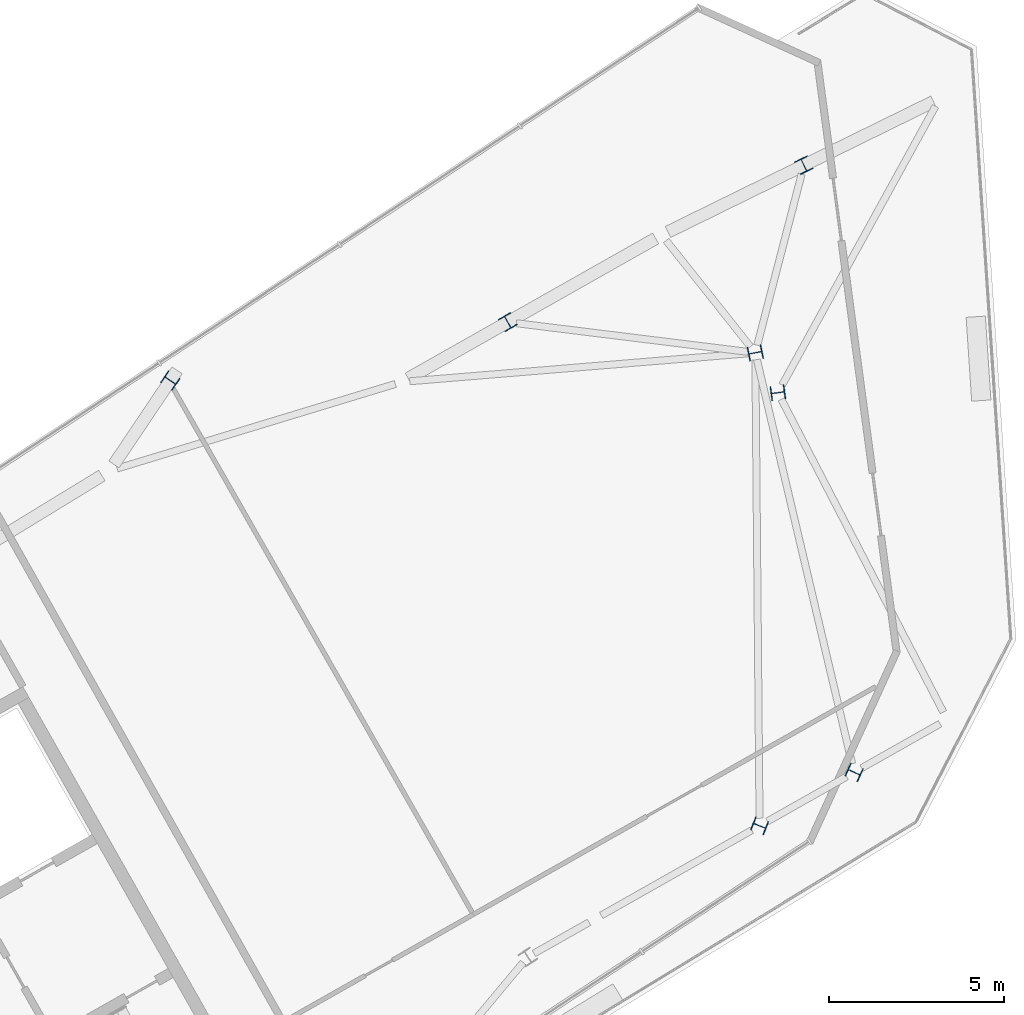
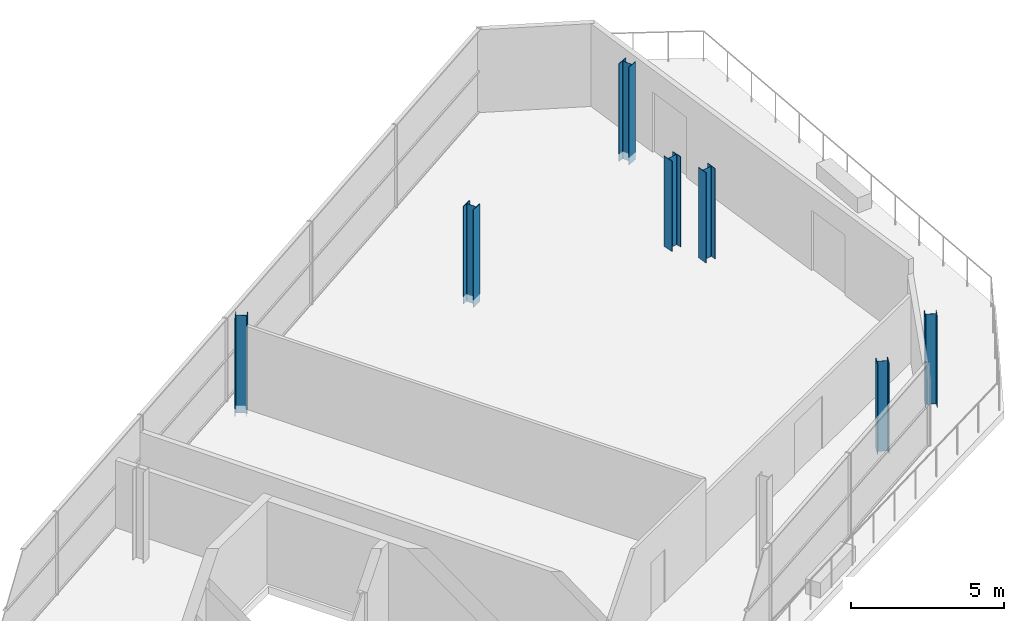
# One storey, part 2 of 10: 7 columns.
"""IFC4 building model written with IfcOpenShell, lengths in metres."""

from ifc_helpers import new_model, si_unit, direction, frame, origin, origin_2d, place, context, subcontext, project, spatial, i_section, extrude, material, material_profile, profile_set, type_object, element, save


model = new_model("IFC4")

# Units and contexts
model_context = context("Model", 3, precision=1e-05, world=origin(), true_north=direction((0.0, 1.0)))
body_context = subcontext(model_context, "Body", "Model", "MODEL_VIEW")
ifc_project = project(units=[si_unit("LENGTHUNIT", "METRE"), si_unit("AREAUNIT", "SQUARE_METRE"), si_unit("VOLUMEUNIT", "CUBIC_METRE"), si_unit("PLANEANGLEUNIT", "RADIAN"), si_unit("MASSUNIT", "GRAM", prefix="KILO")], contexts=[model_context])

# Site, building, storey
site_placement = place(None, origin())
site = spatial("IfcSite", under=ifc_project, at=site_placement, CompositionType="ELEMENT")
building_placement = place(site_placement, origin())
building = spatial("IfcBuilding", under=site, at=building_placement, Name="Binnacle Exchange Tower", CompositionType="ELEMENT")
storey_placement = place(building_placement, frame((0.0, 0.0, 354.10009765625)))
storey = spatial("IfcBuildingStorey", under=building, at=storey_placement, Name="L81", CompositionType="ELEMENT", Elevation=354.10009765625)

# Columns
ifc_material = material(Name="Steel S355 (SHN355)", Category="steel")
ifc_material_profile = material_profile(ifc_material, i_section(OverallWidth=0.39990234375, OverallDepth=0.39990234375, WebThickness=0.012939453125, FlangeThickness=0.02099609375, FilletRadius=0.02197265625, at=origin_2d()), Name="H 400x400x13x21")
ifc_profile_set = profile_set([ifc_material_profile], Name="Steel S355 (SHN355)")
column_type = type_object("IfcColumnType", Name="H 400x400x13x21", PredefinedType="COLUMN", material=ifc_profile_set)
for number, where, z_axis, x_axis, name in (
    (1, (-8.057861328125, 47.599365234375, 0.0), (0.0, 0.0, 1.0), (0.41501085379, 0.909816460192, 0.0), "S:COL:MC36:L81"),
    (2, (-10.236572265625, 58.4453125, 0.0), (0.0, 0.0, 1.0), (-0.132931058583, 0.991125286563, 0.0), "S:COL:MC39:L81"),
):
    element("IfcColumn", number, at=place(storey_placement, frame(where, z_axis=z_axis, x_axis=x_axis)), inside=storey, type_object=column_type, Name=name, PredefinedType="COLUMN", context=body_context, shape_type="SweptSolid", body=[
        extrude(i_section(OverallWidth=0.39990234375, OverallDepth=0.39990234375, WebThickness=0.012939453125, FlangeThickness=0.02099609375, FilletRadius=0.02197265625, at=origin_2d()), origin(), (0.0, 0.0, 1.0), 3.599853515625),
    ])
for number, where, z_axis, x_axis, name in (
    (3, (-9.492431640625, 64.947021484375, -0.300048828125), (0.0, 0.0, 1.0), (-0.897627929844, -0.440754012533, 0.0), "S:COL:MC37:L81"),
    (4, (-17.95703125, 60.461669921875, -0.300048828125), (0.0, 0.0, 1.0), (0.87035569594, 0.492423560103, 0.0), "S:COL:MC28:L81"),
    (5, (-27.598388671875, 58.792724609375, -0.300048828125), (0.0, 0.0, 1.0), (0.557658187238, 0.830070687475, 0.0), "S:COL:MC22:L81"),
):
    element("IfcColumn", number, at=place(storey_placement, frame(where, z_axis=z_axis, x_axis=x_axis)), inside=storey, type_object=column_type, Name=name, PredefinedType="COLUMN", context=body_context, shape_type="SweptSolid", body=[
        extrude(i_section(OverallWidth=0.39990234375, OverallDepth=0.39990234375, WebThickness=0.012939453125, FlangeThickness=0.02099609375, FilletRadius=0.02197265625, at=origin_2d()), origin(), (0.0, 0.0, 1.0), 3.89990234375),
    ])
for number, where, z_axis, x_axis, name in (
    (6, (-10.760009765625, 46.070556640625, 0.0), (0.0, 0.0, 1.0), (0.369033125724, 0.929416242659, 0.0), "S:COL:MC31:L81"),
    (7, (-10.88232421875, 59.5869140625, 0.0), (0.0, 0.0, 1.0), (-0.198666664019, 0.98006711842, 0.0), "S:COL:MC34:L81"),
):
    element("IfcColumn", number, at=place(storey_placement, frame(where, z_axis=z_axis, x_axis=x_axis)), inside=storey, type_object=column_type, Name=name, PredefinedType="COLUMN", context=body_context, shape_type="SweptSolid", body=[
        extrude(i_section(OverallWidth=0.39990234375, OverallDepth=0.39990234375, WebThickness=0.012939453125, FlangeThickness=0.02099609375, FilletRadius=0.02197265625, at=origin_2d()), origin(), (0.0, 0.0, 1.0), 3.599853515625),
    ])

save(model, "model.ifc")
